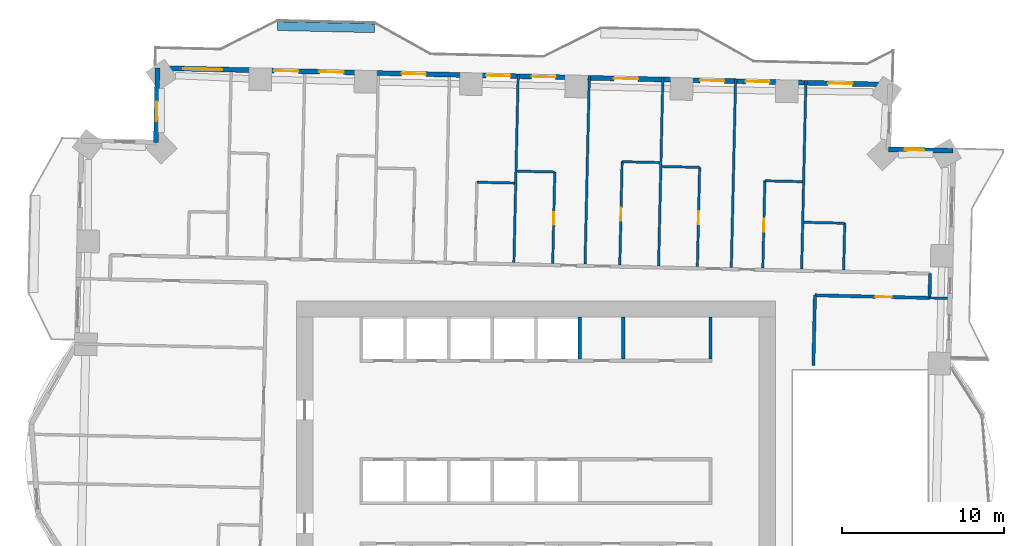
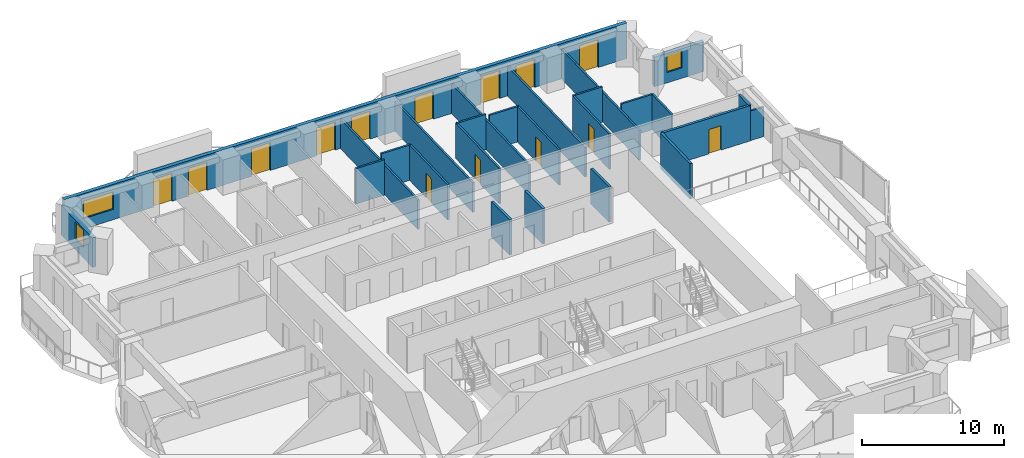
# One storey, part 11 of 16: 27 walls, 14 doors, 3 windows, 17 openings.
"""IFC4 building model written with IfcOpenShell, lengths in metres."""

from ifc_helpers import new_model, si_unit, direction, frame, frame_2d, origin, place, context, subcontext, project, spatial, rectangle, extrude, material, layer, layer_set, type_object, element, fill, save


model = new_model("IFC4")

# Units and contexts
model_context = context("Model", 3, precision=1e-05, world=origin(), true_north=direction((0.0, 1.0)))
body_context = subcontext(model_context, "Body", "Model", "MODEL_VIEW")
ifc_project = project(units=[si_unit("LENGTHUNIT", "METRE"), si_unit("AREAUNIT", "SQUARE_METRE"), si_unit("VOLUMEUNIT", "CUBIC_METRE"), si_unit("PLANEANGLEUNIT", "RADIAN"), si_unit("MASSUNIT", "GRAM", prefix="KILO")], contexts=[model_context])

# Site, building, storey
site_placement = place(None, origin())
site = spatial("IfcSite", under=ifc_project, at=site_placement, CompositionType="ELEMENT")
building_placement = place(site_placement, origin())
building = spatial("IfcBuilding", under=site, at=building_placement, Name="Mangrove Gate Tower", CompositionType="ELEMENT")
storey_placement = place(building_placement, frame((0.0, 0.0, 105.5)))
storey = spatial("IfcBuildingStorey", under=building, at=storey_placement, Name="L26", CompositionType="ELEMENT", Elevation=105.5)

# Walls
ifc_material_1 = material(Name="Concrete C32/40", Category="concrete")
ifc_layer_1 = layer(ifc_material_1, 0.199951171875)
ifc_layer_set_1 = layer_set([ifc_layer_1], Name="Core room wall 200 C32/40")
wall_type_1 = type_object("IfcWallType", Name="Core room wall 200 C32/40", PredefinedType="STANDARD", material=ifc_layer_set_1)
for number, where, z_axis, x_axis, name in (
    (1, (5.39990234375, 8.199951171875, 0.0), (0.0, 0.0, 1.0), (0.0, 1.0, 0.0), "WALL-L26-CORE-32"),
    (2, (10.800048828125, 8.199951171875, 0.0), (0.0, 0.0, 1.0), (0.0, 1.0, 0.0), "WALL-L26-CORE-33"),
):
    element("IfcWall", number, at=place(storey_placement, frame(where, z_axis=z_axis, x_axis=x_axis)), inside=storey, type_object=wall_type_1, Name=name, PredefinedType="STANDARD", context=body_context, shape_type="SweptSolid", body=[
        extrude(rectangle(XDim=2.60009765625, YDim=0.199951171875, at=frame_2d((1.300048828125, 0.0))), origin(), (0.0, 0.0, 1.0), 3.050048828125),
    ])
ifc_material_2 = material(Name="Concrete C70/85", Category="concrete")
ifc_layer_2 = layer(ifc_material_2, 0.199951171875)
ifc_layer_set_2 = layer_set([ifc_layer_2], Name="Core shaft wall 200 C70/85")
wall_type_2 = type_object("IfcWallType", Name="Core shaft wall 200 C70/85", PredefinedType="SHEAR", material=ifc_layer_set_2)
wall_1_placement = place(storey_placement, frame((2.699951171875, 8.199951171875, 0.0), z_axis=(0.0, 0.0, 1.0), x_axis=(0.0, 1.0, 0.0)))
element("IfcWall", 3, at=wall_1_placement, inside=storey, type_object=wall_type_2, Name="WALL-L26-CORE-31", PredefinedType="SHEAR", context=body_context, shape_type="SweptSolid", body=[
    extrude(rectangle(XDim=2.60009765625, YDim=0.199951171875, at=frame_2d((1.300048828125, 0.0))), origin(), (0.0, 0.0, 1.0), 3.050048828125),
])
ifc_material_3 = material(Name="Gypsum board on steel stud, EI 60", Category="steel")
ifc_layer_3 = layer(ifc_material_3, 0.199951171875)
ifc_layer_set_3 = layer_set([ifc_layer_3], Name="Corridor wall EI 60")
wall_type_3 = type_object("IfcWallType", Name="Corridor wall EI 60", PredefinedType="PARTITIONING", material=ifc_layer_set_3)
wall_2_placement = place(storey_placement, frame((17.155029296875, 7.81396484375, 0.0), z_axis=(0.0, 0.0, 1.0), x_axis=(0.022578158225, 0.999745080894, 0.0)))
element("IfcWall", 4, at=wall_2_placement, inside=storey, type_object=wall_type_3, Name="WALL-L26-037", PredefinedType="PARTITIONING", context=body_context, shape_type="SweptSolid", body=[
    extrude(rectangle(XDim=4.336181640625, YDim=0.199951171875, at=frame_2d((2.16796875, 0.0))), origin(), (0.0, 0.0, 1.0), 3.050048828125),
])

# Wall, opening, door
wall_3_placement = place(storey_placement, frame((17.248046875, 12.14501953125, 0.0), z_axis=(0.0, 0.0, 1.0), x_axis=(0.999742350192, -0.022698749566, 0.0)))
wall_3 = element("IfcWall", 5, at=wall_3_placement, inside=storey, type_object=wall_type_3, Name="WALL-L26-041", PredefinedType="PARTITIONING", context=body_context, shape_type="SweptSolid", body=[
    extrude(rectangle(XDim=7.0986328125, YDim=0.199951171875, at=frame_2d((3.54931640625, 0.0))), origin(), (0.0, 0.0, 1.0), 3.050048828125),
])
opening_1_placement = place(wall_3_placement, frame((3.75, 0.0, 0.0)))
opening_1 = element("IfcOpeningElement", 6, at=opening_1_placement, cuts=wall_3, Name="Opening AD", PredefinedType="OPENING", context=body_context, shape_type="SweptSolid", body=[
    extrude(rectangle(XDim=1.0, YDim=2.10009765625, at=frame_2d((0.5, 1.050048828125))), frame((0.0, 0.10986328125, 0.0), z_axis=(0.0, -1.0, 0.0), x_axis=(1.0, 0.0, 0.0)), (0.0, 0.0, 1.0), 0.219970703125),
])
ifc_material_4 = material(Name="Timber door leaf", Category="wood")
door_type_1 = type_object("IfcDoorType", Name="Amenity door 1000", OperationType="SINGLE_SWING_LEFT", PredefinedType="DOOR", material=ifc_material_4)
door_1_placement = place(opening_1_placement, origin())
door_1 = element("IfcDoor", 7, at=door_1_placement, inside=storey, type_object=door_type_1, Name="DOOR-L26-GAM-c3a", OperationType="SINGLE_SWING_RIGHT", OverallHeight=2.10009765625, OverallWidth=1.0, PredefinedType="DOOR", context=body_context, shape_type="SweptSolid", body=[
    extrude(rectangle(XDim=1.0, YDim=2.10009765625, at=frame_2d((0.5, 1.050048828125))), frame((0.0, 0.02490234375, 0.0), z_axis=(0.0, -1.0, 0.0), x_axis=(1.0, 0.0, 0.0)), (0.0, 0.0, 1.0), 0.050048828125),
])
fill(opening_1, door_1)

# Wall
wall_4_placement = place(storey_placement, frame((24.341064453125, 11.988037109375, 0.0), z_axis=(0.0, 0.0, 1.0), x_axis=(0.022617910375, 0.999744182344, 0.0)))
element("IfcWall", 8, at=wall_4_placement, inside=storey, type_object=wall_type_3, Name="WALL-L26-044", PredefinedType="PARTITIONING", context=body_context, shape_type="SweptSolid", body=[
    extrude(rectangle(XDim=1.50048828125, YDim=0.199951171875, at=frame_2d((0.750244140625, 0.0))), origin(), (0.0, 0.0, 1.0), 3.050048828125),
])

# Wall, opening, window
ifc_material_5 = material(Name="Limestone", Category="masonry")
ifc_layer_4 = layer(ifc_material_5, 0.0400390625, Name="Limestone cladding")
ifc_material_6 = material(Name="Ventilated air gap")
ifc_layer_5 = layer(ifc_material_6, 0.0400390625, Name="Ventilated cavity")
ifc_material_7 = material(Name="Mineral wool insulation")
ifc_layer_6 = layer(ifc_material_7, 0.06005859375, Name="Insulation")
ifc_material_8 = material(Name="Breather membrane")
ifc_layer_7 = layer(ifc_material_8, 0.001953125, Name="Breather membrane")
ifc_material_9 = material(Name="Concrete C20/25 blockwork", Category="masonry")
ifc_layer_8 = layer(ifc_material_9, 0.14990234375, Name="Blockwork backing wall")
ifc_material_10 = material(Name="Gypsum plaster")
ifc_layer_9 = layer(ifc_material_10, 0.008056640625, Name="Internal plaster")
ifc_layer_set_4 = layer_set([ifc_layer_4, ifc_layer_5, ifc_layer_6, ifc_layer_7, ifc_layer_8, ifc_layer_9], Name="External wall 300 limestone cladding")
wall_type_4 = type_object("IfcWallType", Name="External wall 300 limestone cladding", PredefinedType="SOLIDWALL", material=ifc_layer_set_4)
wall_5_placement = place(storey_placement, frame((25.802001953125, 21.0830078125, 0.0), z_axis=(0.0, 0.0, 1.0), x_axis=(-0.999740826251, 0.022765770952, 0.0)))
wall_5 = element("IfcWall", 9, at=wall_5_placement, inside=storey, type_object=wall_type_4, Name="WALL-L26-N3", PredefinedType="SOLIDWALL", context=body_context, shape_type="SweptSolid", body=[
    extrude(rectangle(XDim=4.0, YDim=0.300048828125, at=frame_2d((2.0, 0.0))), origin(), (0.0, 0.0, 1.0), 2.550048828125),
])
opening_2_placement = place(wall_5_placement, frame((1.782958984375, 0.0, 0.89990234375)))
opening_2 = element("IfcOpeningElement", 10, at=opening_2_placement, cuts=wall_5, Name="Opening W1", PredefinedType="OPENING", context=body_context, shape_type="SweptSolid", body=[
    extrude(rectangle(XDim=1.199951171875, YDim=1.5, at=frame_2d((0.60009765625, 0.75))), frame((0.0, 0.159912109375, 0.0), z_axis=(0.0, -1.0, 0.0), x_axis=(1.0, 0.0, 0.0)), (0.0, 0.0, 1.0), 0.320068359375),
])
ifc_material_11 = material(Name="Aluminium frame with double-glazed low-e glass", Category="aluminium")
window_type_1 = type_object("IfcWindowType", Name="Side lite 1200x1500", PartitioningType="SINGLE_PANEL", PredefinedType="WINDOW", material=ifc_material_11)
window_1_placement = place(opening_2_placement, origin())
window_1 = element("IfcWindow", 11, at=window_1_placement, inside=storey, type_object=window_type_1, Name="WIN-L26-N3-1", OverallHeight=1.5, OverallWidth=1.199951171875, PartitioningType="SINGLE_PANEL", PredefinedType="WINDOW", context=body_context, shape_type="SweptSolid", body=[
    extrude(rectangle(XDim=1.199951171875, YDim=1.5, at=frame_2d((0.60009765625, 0.75))), frame((0.0, 0.030029296875, 0.0), z_axis=(0.0, -1.0, 0.0), x_axis=(1.0, 0.0, 0.0)), (0.0, 0.0, 1.0), 0.06005859375),
])
fill(opening_2, window_1)

# Wall, openings, doors, window
wall_6_placement = place(storey_placement, frame((21.89404296875, 25.173095703125, 0.0), z_axis=(0.0, 0.0, 1.0), x_axis=(-0.999742661083, 0.022685052594, 0.0)))
wall_6 = element("IfcWall", 12, at=wall_6_placement, inside=storey, type_object=wall_type_4, Name="WALL-L26-N5", PredefinedType="SOLIDWALL", context=body_context, shape_type="SweptSolid", body=[
    extrude(rectangle(XDim=45.308837890625, YDim=0.300048828125, at=frame_2d((22.654296875, 0.0))), origin(), (0.0, 0.0, 1.0), 3.050048828125),
])
opening_3_placement = place(wall_6_placement, frame((2.319091796875, 0.0, 0.0)))
opening_3 = element("IfcOpeningElement", 13, at=opening_3_placement, cuts=wall_6, Name="Opening BD1", PredefinedType="OPENING", context=body_context, shape_type="SweptSolid", body=[
    extrude(rectangle(XDim=1.5, YDim=2.39990234375, at=frame_2d((0.75, 1.199951171875))), frame((0.0, 0.159912109375, 0.0), z_axis=(0.0, -1.0, 0.0), x_axis=(1.0, 0.0, 0.0)), (0.0, 0.0, 1.0), 0.320068359375),
])
opening_4_placement = place(wall_6_placement, frame((7.43701171875, 0.0, 0.0)))
opening_4 = element("IfcOpeningElement", 14, at=opening_4_placement, cuts=wall_6, Name="Opening BD1", PredefinedType="OPENING", context=body_context, shape_type="SweptSolid", body=[
    extrude(rectangle(XDim=1.5, YDim=2.39990234375, at=frame_2d((0.75, 1.199951171875))), frame((0.0, 0.159912109375, 0.0), z_axis=(0.0, -1.0, 0.0), x_axis=(1.0, 0.0, 0.0)), (0.0, 0.0, 1.0), 0.320068359375),
])
opening_5_placement = place(wall_6_placement, frame((10.243896484375, 0.0, 0.0)))
opening_5 = element("IfcOpeningElement", 15, at=opening_5_placement, cuts=wall_6, Name="Opening BD1", PredefinedType="OPENING", context=body_context, shape_type="SweptSolid", body=[
    extrude(rectangle(XDim=1.5, YDim=2.39990234375, at=frame_2d((0.75, 1.199951171875))), frame((0.0, 0.159912109375, 0.0), z_axis=(0.0, -1.0, 0.0), x_axis=(1.0, 0.0, 0.0)), (0.0, 0.0, 1.0), 0.320068359375),
])
opening_6_placement = place(wall_6_placement, frame((15.5830078125, 0.0, 0.0)))
opening_6 = element("IfcOpeningElement", 16, at=opening_6_placement, cuts=wall_6, Name="Opening BD1", PredefinedType="OPENING", context=body_context, shape_type="SweptSolid", body=[
    extrude(rectangle(XDim=1.5, YDim=2.39990234375, at=frame_2d((0.75, 1.199951171875))), frame((0.0, 0.159912109375, 0.0), z_axis=(0.0, -1.0, 0.0), x_axis=(1.0, 0.0, 0.0)), (0.0, 0.0, 1.0), 0.320068359375),
])
opening_7_placement = place(wall_6_placement, frame((20.677001953125, 0.0, 0.0)))
opening_7 = element("IfcOpeningElement", 17, at=opening_7_placement, cuts=wall_6, Name="Opening BD1", PredefinedType="OPENING", context=body_context, shape_type="SweptSolid", body=[
    extrude(rectangle(XDim=1.5, YDim=2.39990234375, at=frame_2d((0.75, 1.199951171875))), frame((0.0, 0.159912109375, 0.0), z_axis=(0.0, -1.0, 0.0), x_axis=(1.0, 0.0, 0.0)), (0.0, 0.0, 1.0), 0.320068359375),
])
opening_8_placement = place(wall_6_placement, frame((23.485107421875, 0.0, 0.0)))
opening_8 = element("IfcOpeningElement", 18, at=opening_8_placement, cuts=wall_6, Name="Opening BD1", PredefinedType="OPENING", context=body_context, shape_type="SweptSolid", body=[
    extrude(rectangle(XDim=1.5, YDim=2.39990234375, at=frame_2d((0.75, 1.199951171875))), frame((0.0, 0.159912109375, 0.0), z_axis=(0.0, -1.0, 0.0), x_axis=(1.0, 0.0, 0.0)), (0.0, 0.0, 1.0), 0.320068359375),
])
opening_9_placement = place(wall_6_placement, frame((28.7080078125, 0.0, 0.0)))
opening_9 = element("IfcOpeningElement", 19, at=opening_9_placement, cuts=wall_6, Name="Opening BD1", PredefinedType="OPENING", context=body_context, shape_type="SweptSolid", body=[
    extrude(rectangle(XDim=1.5, YDim=2.39990234375, at=frame_2d((0.75, 1.199951171875))), frame((0.0, 0.159912109375, 0.0), z_axis=(0.0, -1.0, 0.0), x_axis=(1.0, 0.0, 0.0)), (0.0, 0.0, 1.0), 0.320068359375),
])
opening_10_placement = place(wall_6_placement, frame((33.79296875, 0.0, 0.0)))
opening_10 = element("IfcOpeningElement", 20, at=opening_10_placement, cuts=wall_6, Name="Opening BD1", PredefinedType="OPENING", context=body_context, shape_type="SweptSolid", body=[
    extrude(rectangle(XDim=1.5, YDim=2.39990234375, at=frame_2d((0.75, 1.199951171875))), frame((0.0, 0.159912109375, 0.0), z_axis=(0.0, -1.0, 0.0), x_axis=(1.0, 0.0, 0.0)), (0.0, 0.0, 1.0), 0.320068359375),
])
opening_11_placement = place(wall_6_placement, frame((36.60009765625, 0.0, 0.0)))
opening_11 = element("IfcOpeningElement", 21, at=opening_11_placement, cuts=wall_6, Name="Opening BD1", PredefinedType="OPENING", context=body_context, shape_type="SweptSolid", body=[
    extrude(rectangle(XDim=1.5, YDim=2.39990234375, at=frame_2d((0.75, 1.199951171875))), frame((0.0, 0.159912109375, 0.0), z_axis=(0.0, -1.0, 0.0), x_axis=(1.0, 0.0, 0.0)), (0.0, 0.0, 1.0), 0.320068359375),
])
opening_12_placement = place(wall_6_placement, frame((41.318115234375, 0.0, 0.89990234375)))
opening_12 = element("IfcOpeningElement", 22, at=opening_12_placement, cuts=wall_6, Name="Opening W2", PredefinedType="OPENING", context=body_context, shape_type="SweptSolid", body=[
    extrude(rectangle(XDim=2.39990234375, YDim=1.5, at=frame_2d((1.199951171875, 0.75))), frame((0.0, 0.159912109375, 0.0), z_axis=(0.0, -1.0, 0.0), x_axis=(1.0, 0.0, 0.0)), (0.0, 0.0, 1.0), 0.320068359375),
])
ifc_material_12 = material(Name="Aluminium frame with laminated clear glass", Category="aluminium")
door_type_2 = type_object("IfcDoorType", Name="Balcony sliding door 1500x2400", OperationType="SLIDING_TO_LEFT", PredefinedType="DOOR", material=ifc_material_12)
door_2_placement = place(opening_3_placement, origin())
door_2 = element("IfcDoor", 23, at=door_2_placement, inside=storey, type_object=door_type_2, Name="DOOR-L26-N5-1", OperationType="SLIDING_TO_LEFT", OverallHeight=2.39990234375, OverallWidth=1.5, PredefinedType="DOOR", context=body_context, shape_type="SweptSolid", body=[
    extrude(rectangle(XDim=1.5, YDim=2.39990234375, at=frame_2d((0.75, 1.199951171875))), frame((0.0, 0.02490234375, 0.0), z_axis=(0.0, -1.0, 0.0), x_axis=(1.0, 0.0, 0.0)), (0.0, 0.0, 1.0), 0.050048828125),
])
fill(opening_3, door_2)
door_3_placement = place(opening_4_placement, origin())
door_3 = element("IfcDoor", 24, at=door_3_placement, inside=storey, type_object=door_type_2, Name="DOOR-L26-N5-2", OperationType="SLIDING_TO_LEFT", OverallHeight=2.39990234375, OverallWidth=1.5, PredefinedType="DOOR", context=body_context, shape_type="SweptSolid", body=[
    extrude(rectangle(XDim=1.5, YDim=2.39990234375, at=frame_2d((0.75, 1.199951171875))), frame((0.0, 0.02490234375, 0.0), z_axis=(0.0, -1.0, 0.0), x_axis=(1.0, 0.0, 0.0)), (0.0, 0.0, 1.0), 0.050048828125),
])
fill(opening_4, door_3)
door_4_placement = place(opening_5_placement, origin())
door_4 = element("IfcDoor", 25, at=door_4_placement, inside=storey, type_object=door_type_2, Name="DOOR-L26-N5-3", OperationType="SLIDING_TO_LEFT", OverallHeight=2.39990234375, OverallWidth=1.5, PredefinedType="DOOR", context=body_context, shape_type="SweptSolid", body=[
    extrude(rectangle(XDim=1.5, YDim=2.39990234375, at=frame_2d((0.75, 1.199951171875))), frame((0.0, 0.02490234375, 0.0), z_axis=(0.0, -1.0, 0.0), x_axis=(1.0, 0.0, 0.0)), (0.0, 0.0, 1.0), 0.050048828125),
])
fill(opening_5, door_4)
door_5_placement = place(opening_6_placement, origin())
door_5 = element("IfcDoor", 26, at=door_5_placement, inside=storey, type_object=door_type_2, Name="DOOR-L26-N5-4", OperationType="SLIDING_TO_LEFT", OverallHeight=2.39990234375, OverallWidth=1.5, PredefinedType="DOOR", context=body_context, shape_type="SweptSolid", body=[
    extrude(rectangle(XDim=1.5, YDim=2.39990234375, at=frame_2d((0.75, 1.199951171875))), frame((0.0, 0.02490234375, 0.0), z_axis=(0.0, -1.0, 0.0), x_axis=(1.0, 0.0, 0.0)), (0.0, 0.0, 1.0), 0.050048828125),
])
fill(opening_6, door_5)
door_6_placement = place(opening_7_placement, origin())
door_6 = element("IfcDoor", 27, at=door_6_placement, inside=storey, type_object=door_type_2, Name="DOOR-L26-N5-5", OperationType="SLIDING_TO_LEFT", OverallHeight=2.39990234375, OverallWidth=1.5, PredefinedType="DOOR", context=body_context, shape_type="SweptSolid", body=[
    extrude(rectangle(XDim=1.5, YDim=2.39990234375, at=frame_2d((0.75, 1.199951171875))), frame((0.0, 0.02490234375, 0.0), z_axis=(0.0, -1.0, 0.0), x_axis=(1.0, 0.0, 0.0)), (0.0, 0.0, 1.0), 0.050048828125),
])
fill(opening_7, door_6)
door_7_placement = place(opening_8_placement, origin())
door_7 = element("IfcDoor", 28, at=door_7_placement, inside=storey, type_object=door_type_2, Name="DOOR-L26-N5-6", OperationType="SLIDING_TO_LEFT", OverallHeight=2.39990234375, OverallWidth=1.5, PredefinedType="DOOR", context=body_context, shape_type="SweptSolid", body=[
    extrude(rectangle(XDim=1.5, YDim=2.39990234375, at=frame_2d((0.75, 1.199951171875))), frame((0.0, 0.02490234375, 0.0), z_axis=(0.0, -1.0, 0.0), x_axis=(1.0, 0.0, 0.0)), (0.0, 0.0, 1.0), 0.050048828125),
])
fill(opening_8, door_7)
door_8_placement = place(opening_9_placement, origin())
door_8 = element("IfcDoor", 29, at=door_8_placement, inside=storey, type_object=door_type_2, Name="DOOR-L26-N5-7", OperationType="SLIDING_TO_LEFT", OverallHeight=2.39990234375, OverallWidth=1.5, PredefinedType="DOOR", context=body_context, shape_type="SweptSolid", body=[
    extrude(rectangle(XDim=1.5, YDim=2.39990234375, at=frame_2d((0.75, 1.199951171875))), frame((0.0, 0.02490234375, 0.0), z_axis=(0.0, -1.0, 0.0), x_axis=(1.0, 0.0, 0.0)), (0.0, 0.0, 1.0), 0.050048828125),
])
fill(opening_9, door_8)
door_9_placement = place(opening_10_placement, origin())
door_9 = element("IfcDoor", 30, at=door_9_placement, inside=storey, type_object=door_type_2, Name="DOOR-L26-N5-8", OperationType="SLIDING_TO_LEFT", OverallHeight=2.39990234375, OverallWidth=1.5, PredefinedType="DOOR", context=body_context, shape_type="SweptSolid", body=[
    extrude(rectangle(XDim=1.5, YDim=2.39990234375, at=frame_2d((0.75, 1.199951171875))), frame((0.0, 0.02490234375, 0.0), z_axis=(0.0, -1.0, 0.0), x_axis=(1.0, 0.0, 0.0)), (0.0, 0.0, 1.0), 0.050048828125),
])
fill(opening_10, door_9)
door_10_placement = place(opening_11_placement, origin())
door_10 = element("IfcDoor", 31, at=door_10_placement, inside=storey, type_object=door_type_2, Name="DOOR-L26-N5-9", OperationType="SLIDING_TO_LEFT", OverallHeight=2.39990234375, OverallWidth=1.5, PredefinedType="DOOR", context=body_context, shape_type="SweptSolid", body=[
    extrude(rectangle(XDim=1.5, YDim=2.39990234375, at=frame_2d((0.75, 1.199951171875))), frame((0.0, 0.02490234375, 0.0), z_axis=(0.0, -1.0, 0.0), x_axis=(1.0, 0.0, 0.0)), (0.0, 0.0, 1.0), 0.050048828125),
])
fill(opening_11, door_10)
ifc_material_13 = material(Name="Aluminium frame with double-glazed low-e glass", Category="aluminium")
window_type_2 = type_object("IfcWindowType", Name="Corner room window 2400x1500", PartitioningType="DOUBLE_PANEL_VERTICAL", PredefinedType="WINDOW", material=ifc_material_13)
window_2_placement = place(opening_12_placement, origin())
window_2 = element("IfcWindow", 32, at=window_2_placement, inside=storey, type_object=window_type_2, Name="WIN-L26-N5-10", OverallHeight=1.5, OverallWidth=2.39990234375, PartitioningType="DOUBLE_PANEL_VERTICAL", PredefinedType="WINDOW", context=body_context, shape_type="SweptSolid", body=[
    extrude(rectangle(XDim=2.39990234375, YDim=1.5, at=frame_2d((1.199951171875, 0.75))), frame((0.0, 0.030029296875, 0.0), z_axis=(0.0, -1.0, 0.0), x_axis=(1.0, 0.0, 0.0)), (0.0, 0.0, 1.0), 0.06005859375),
])
fill(opening_12, window_2)

# Wall, opening, window
wall_7_placement = place(storey_placement, frame((-23.403076171875, 26.200927734375, 0.0), z_axis=(0.0, 0.0, 1.0), x_axis=(-0.022609285172, -0.999744377441, 0.0)))
wall_7 = element("IfcWall", 33, at=wall_7_placement, inside=storey, type_object=wall_type_4, Name="WALL-L26-W6", PredefinedType="SOLIDWALL", context=body_context, shape_type="SweptSolid", body=[
    extrude(rectangle(XDim=4.60009765625, YDim=0.300048828125, at=frame_2d((2.300048828125, 0.0))), origin(), (0.0, 0.0, 1.0), 2.550048828125),
])
opening_13_placement = place(wall_7_placement, frame((2.075927734375, 0.0, 0.89990234375)))
opening_13 = element("IfcOpeningElement", 34, at=opening_13_placement, cuts=wall_7, Name="Opening W1", PredefinedType="OPENING", context=body_context, shape_type="SweptSolid", body=[
    extrude(rectangle(XDim=1.199951171875, YDim=1.5, at=frame_2d((0.60009765625, 0.75))), frame((0.0, 0.159912109375, 0.0), z_axis=(0.0, -1.0, 0.0), x_axis=(1.0, 0.0, 0.0)), (0.0, 0.0, 1.0), 0.320068359375),
])
window_3_placement = place(opening_13_placement, origin())
window_3 = element("IfcWindow", 35, at=window_3_placement, inside=storey, type_object=window_type_1, Name="WIN-L26-W6-1", OverallHeight=1.5, OverallWidth=1.199951171875, PartitioningType="SINGLE_PANEL", PredefinedType="WINDOW", context=body_context, shape_type="SweptSolid", body=[
    extrude(rectangle(XDim=1.199951171875, YDim=1.5, at=frame_2d((0.60009765625, 0.75))), frame((0.0, 0.030029296875, 0.0), z_axis=(0.0, -1.0, 0.0), x_axis=(1.0, 0.0, 0.0)), (0.0, 0.0, 1.0), 0.06005859375),
])
fill(opening_13, window_3)

# Walls
ifc_material_14 = material(Name="Gypsum board on steel stud, EI 60", Category="steel")
ifc_layer_10 = layer(ifc_material_14, 0.14990234375)
ifc_layer_set_5 = layer_set([ifc_layer_10], Name="Party wall 150 EI 60")
wall_type_5 = type_object("IfcWallType", Name="Party wall 150 EI 60", PredefinedType="PARTITIONING", material=ifc_layer_set_5)
wall_8_placement = place(storey_placement, frame((24.344970703125, 11.98388671875, 0.0), z_axis=(0.0, 0.0, 1.0), x_axis=(0.9997438932, -0.022630687329, 0.0)))
element("IfcWall", 36, at=wall_8_placement, inside=storey, type_object=wall_type_5, Name="WALL-L26-042", PredefinedType="PARTITIONING", context=body_context, shape_type="SweptSolid", body=[
    extrude(rectangle(XDim=1.100341796875, YDim=0.14990234375, at=frame_2d((0.55029296875, 0.0))), origin(), (0.0, 0.0, 1.0), 2.550048828125),
])
wall_9_placement = place(storey_placement, frame((-1.365966796875, 14.172119140625, 0.0), z_axis=(0.0, 0.0, 1.0), x_axis=(0.022687206857, 0.999742612198, 0.0)))
element("IfcWall", 37, at=wall_9_placement, inside=storey, type_object=wall_type_5, Name="WALL-L26-055", PredefinedType="PARTITIONING", context=body_context, shape_type="SweptSolid", body=[
    extrude(rectangle(XDim=11.67578125, YDim=0.14990234375, at=frame_2d((5.837890625, 0.0))), origin(), (0.0, 0.0, 1.0), 2.550048828125),
])

# Wall, opening, door
wall_10_placement = place(storey_placement, frame((1.033935546875, 14.116943359375, 0.0), z_axis=(0.0, 0.0, 1.0), x_axis=(0.022644004729, 0.999743591652, 0.0)))
wall_10 = element("IfcWall", 38, at=wall_10_placement, inside=storey, type_object=wall_type_5, Name="WALL-L26-056", PredefinedType="PARTITIONING", context=body_context, shape_type="SweptSolid", body=[
    extrude(rectangle(XDim=5.660400390625, YDim=0.14990234375, at=frame_2d((2.830078125, 0.0))), origin(), (0.0, 0.0, 1.0), 3.050048828125),
])
opening_14_placement = place(wall_10_placement, frame((2.3798828125, 0.0, 0.0)))
opening_14 = element("IfcOpeningElement", 39, at=opening_14_placement, cuts=wall_10, Name="Opening ED", PredefinedType="OPENING", context=body_context, shape_type="SweptSolid", body=[
    extrude(rectangle(XDim=0.800048828125, YDim=2.10009765625, at=frame_2d((0.39990234375, 1.050048828125))), frame((0.0, 0.0849609375, 0.0), z_axis=(0.0, -1.0, 0.0), x_axis=(1.0, 0.0, 0.0)), (0.0, 0.0, 1.0), 0.169921875),
])
ifc_material_15 = material(Name="Timber door leaf", Category="wood")
door_type_3 = type_object("IfcDoorType", Name="En-suite door 800", OperationType="SINGLE_SWING_LEFT", PredefinedType="DOOR", material=ifc_material_15)
door_11_placement = place(opening_14_placement, origin())
door_11 = element("IfcDoor", 40, at=door_11_placement, inside=storey, type_object=door_type_3, Name="DOOR-L26-ENS-c411", OperationType="SINGLE_SWING_LEFT", OverallHeight=2.10009765625, OverallWidth=0.800048828125, PredefinedType="DOOR", context=body_context, shape_type="SweptSolid", body=[
    extrude(rectangle(XDim=0.800048828125, YDim=2.10009765625, at=frame_2d((0.39990234375, 1.050048828125))), frame((0.0, 0.02490234375, 0.0), z_axis=(0.0, -1.0, 0.0), x_axis=(1.0, 0.0, 0.0)), (0.0, 0.0, 1.0), 0.050048828125),
])
fill(opening_14, door_11)

# Wall
wall_11_placement = place(storey_placement, frame((3.032958984375, 14.072021484375, 0.0), z_axis=(0.0, 0.0, 1.0), x_axis=(0.022707631257, 0.999742148498, 0.0)))
element("IfcWall", 41, at=wall_11_placement, inside=storey, type_object=wall_type_5, Name="WALL-L26-057", PredefinedType="PARTITIONING", context=body_context, shape_type="SweptSolid", body=[
    extrude(rectangle(XDim=11.676025390625, YDim=0.14990234375, at=frame_2d((5.837890625, 0.0))), origin(), (0.0, 0.0, 1.0), 2.550048828125),
])

# Wall, opening, door
wall_12_placement = place(storey_placement, frame((5.181884765625, 14.02294921875, 0.0), z_axis=(0.0, 0.0, 1.0), x_axis=(0.022691900969, 0.999742505664, 0.0)))
wall_12 = element("IfcWall", 42, at=wall_12_placement, inside=storey, type_object=wall_type_5, Name="WALL-L26-058", PredefinedType="PARTITIONING", context=body_context, shape_type="SweptSolid", body=[
    extrude(rectangle(XDim=6.390869140625, YDim=0.14990234375, at=frame_2d((3.1953125, 0.0))), origin(), (0.0, 0.0, 1.0), 3.050048828125),
])
opening_15_placement = place(wall_12_placement, frame((2.7451171875, 0.0, 0.0)))
opening_15 = element("IfcOpeningElement", 43, at=opening_15_placement, cuts=wall_12, Name="Opening ED", PredefinedType="OPENING", context=body_context, shape_type="SweptSolid", body=[
    extrude(rectangle(XDim=0.800048828125, YDim=2.10009765625, at=frame_2d((0.39990234375, 1.050048828125))), frame((0.0, 0.0849609375, 0.0), z_axis=(0.0, -1.0, 0.0), x_axis=(1.0, 0.0, 0.0)), (0.0, 0.0, 1.0), 0.169921875),
])
door_12_placement = place(opening_15_placement, origin())
door_12 = element("IfcDoor", 44, at=door_12_placement, inside=storey, type_object=door_type_3, Name="DOOR-L26-ENS-c410", OperationType="SINGLE_SWING_RIGHT", OverallHeight=2.10009765625, OverallWidth=0.800048828125, PredefinedType="DOOR", context=body_context, shape_type="SweptSolid", body=[
    extrude(rectangle(XDim=0.800048828125, YDim=2.10009765625, at=frame_2d((0.39990234375, 1.050048828125))), frame((0.0, 0.02490234375, 0.0), z_axis=(0.0, -1.0, 0.0), x_axis=(1.0, 0.0, 0.0)), (0.0, 0.0, 1.0), 0.050048828125),
])
fill(opening_15, door_12)

# Wall
wall_13_placement = place(storey_placement, frame((7.58203125, 13.968994140625, 0.0), z_axis=(0.0, 0.0, 1.0), x_axis=(0.022686732602, 0.99974262296, 0.0)))
element("IfcWall", 45, at=wall_13_placement, inside=storey, type_object=wall_type_5, Name="WALL-L26-059", PredefinedType="PARTITIONING", context=body_context, shape_type="SweptSolid", body=[
    extrude(rectangle(XDim=11.676025390625, YDim=0.14990234375, at=frame_2d((5.837890625, 0.0))), origin(), (0.0, 0.0, 1.0), 2.550048828125),
])

# Wall, opening, door
wall_14_placement = place(storey_placement, frame((9.98095703125, 13.9140625, 0.0), z_axis=(0.0, 0.0, 1.0), x_axis=(0.022784522714, 0.999740399066, 0.0)))
wall_14 = element("IfcWall", 46, at=wall_14_placement, inside=storey, type_object=wall_type_5, Name="WALL-L26-060", PredefinedType="PARTITIONING", context=body_context, shape_type="SweptSolid", body=[
    extrude(rectangle(XDim=6.150634765625, YDim=0.14990234375, at=frame_2d((3.0751953125, 0.0))), origin(), (0.0, 0.0, 1.0), 3.050048828125),
])
opening_16_placement = place(wall_14_placement, frame((2.625, 0.0, 0.0)))
opening_16 = element("IfcOpeningElement", 47, at=opening_16_placement, cuts=wall_14, Name="Opening ED", PredefinedType="OPENING", context=body_context, shape_type="SweptSolid", body=[
    extrude(rectangle(XDim=0.800048828125, YDim=2.10009765625, at=frame_2d((0.39990234375, 1.050048828125))), frame((0.0, 0.0849609375, 0.0), z_axis=(0.0, -1.0, 0.0), x_axis=(1.0, 0.0, 0.0)), (0.0, 0.0, 1.0), 0.169921875),
])
door_13_placement = place(opening_16_placement, origin())
door_13 = element("IfcDoor", 48, at=door_13_placement, inside=storey, type_object=door_type_3, Name="DOOR-L26-ENS-c309", OperationType="SINGLE_SWING_LEFT", OverallHeight=2.10009765625, OverallWidth=0.800048828125, PredefinedType="DOOR", context=body_context, shape_type="SweptSolid", body=[
    extrude(rectangle(XDim=0.800048828125, YDim=2.10009765625, at=frame_2d((0.39990234375, 1.050048828125))), frame((0.0, 0.02490234375, 0.0), z_axis=(0.0, -1.0, 0.0), x_axis=(1.0, 0.0, 0.0)), (0.0, 0.0, 1.0), 0.050048828125),
])
fill(opening_16, door_13)

# Wall
wall_15_placement = place(storey_placement, frame((12.0810546875, 13.866943359375, 0.0), z_axis=(0.0, 0.0, 1.0), x_axis=(0.022686732602, 0.99974262296, 0.0)))
element("IfcWall", 49, at=wall_15_placement, inside=storey, type_object=wall_type_5, Name="WALL-L26-061", PredefinedType="PARTITIONING", context=body_context, shape_type="SweptSolid", body=[
    extrude(rectangle(XDim=11.676025390625, YDim=0.14990234375, at=frame_2d((5.837890625, 0.0))), origin(), (0.0, 0.0, 1.0), 2.550048828125),
])

# Wall, opening, door
wall_16_placement = place(storey_placement, frame((14.030029296875, 13.822998046875, 0.0), z_axis=(0.0, 0.0, 1.0), x_axis=(0.022747035861, 0.999741252705, 0.0)))
wall_16 = element("IfcWall", 50, at=wall_16_placement, inside=storey, type_object=wall_type_5, Name="WALL-L26-062", PredefinedType="PARTITIONING", context=body_context, shape_type="SweptSolid", body=[
    extrude(rectangle(XDim=5.409423828125, YDim=0.14990234375, at=frame_2d((2.70458984375, 0.0))), origin(), (0.0, 0.0, 1.0), 3.050048828125),
])
opening_17_placement = place(wall_16_placement, frame((2.2548828125, 0.0, 0.0)))
opening_17 = element("IfcOpeningElement", 51, at=opening_17_placement, cuts=wall_16, Name="Opening ED", PredefinedType="OPENING", context=body_context, shape_type="SweptSolid", body=[
    extrude(rectangle(XDim=0.800048828125, YDim=2.10009765625, at=frame_2d((0.39990234375, 1.050048828125))), frame((0.0, 0.0849609375, 0.0), z_axis=(0.0, -1.0, 0.0), x_axis=(1.0, 0.0, 0.0)), (0.0, 0.0, 1.0), 0.169921875),
])
door_14_placement = place(opening_17_placement, origin())
door_14 = element("IfcDoor", 52, at=door_14_placement, inside=storey, type_object=door_type_3, Name="DOOR-L26-ENS-c308", OperationType="SINGLE_SWING_RIGHT", OverallHeight=2.10009765625, OverallWidth=0.800048828125, PredefinedType="DOOR", context=body_context, shape_type="SweptSolid", body=[
    extrude(rectangle(XDim=0.800048828125, YDim=2.10009765625, at=frame_2d((0.39990234375, 1.050048828125))), frame((0.0, 0.02490234375, 0.0), z_axis=(0.0, -1.0, 0.0), x_axis=(1.0, 0.0, 0.0)), (0.0, 0.0, 1.0), 0.050048828125),
])
fill(opening_17, door_14)

# Walls
wall_17_placement = place(storey_placement, frame((16.429931640625, 13.76806640625, 0.0), z_axis=(0.0, 0.0, 1.0), x_axis=(0.022624509406, 0.999744033028, 0.0)))
element("IfcWall", 53, at=wall_17_placement, inside=storey, type_object=wall_type_5, Name="WALL-L26-063", PredefinedType="PARTITIONING", context=body_context, shape_type="SweptSolid", body=[
    extrude(rectangle(XDim=11.67578125, YDim=0.14990234375, at=frame_2d((5.837890625, 0.0))), origin(), (0.0, 0.0, 1.0), 2.550048828125),
])
wall_18_placement = place(storey_placement, frame((19.029052734375, 13.708984375, 0.0), z_axis=(0.0, 0.0, 1.0), x_axis=(0.022732880677, 0.999741574676, 0.0)))
element("IfcWall", 54, at=wall_18_placement, inside=storey, type_object=wall_type_5, Name="WALL-L26-064", PredefinedType="PARTITIONING", context=body_context, shape_type="SweptSolid", body=[
    extrude(rectangle(XDim=2.899658203125, YDim=0.14990234375, at=frame_2d((1.44970703125, 0.0))), origin(), (0.0, 0.0, 1.0), 3.050048828125),
])
wall_19_placement = place(storey_placement, frame((16.56591796875, 16.662109375, 0.0), z_axis=(0.0, 0.0, 1.0), x_axis=(0.999735358199, -0.023004642294, 0.0)))
element("IfcWall", 55, at=wall_19_placement, inside=storey, type_object=wall_type_5, Name="WALL-L26-066", PredefinedType="PARTITIONING", context=body_context, shape_type="SweptSolid", body=[
    extrude(rectangle(XDim=2.52587890625, YDim=0.14990234375, at=frame_2d((1.262939453125, 0.0))), origin(), (0.0, 0.0, 1.0), 3.050048828125),
])
wall_20_placement = place(storey_placement, frame((-3.657958984375, 19.14111328125, 0.0), z_axis=(0.0, 0.0, 1.0), x_axis=(0.999738082346, -0.022885950011, 0.0)))
element("IfcWall", 56, at=wall_20_placement, inside=storey, type_object=wall_type_5, Name="WALL-L26-067", PredefinedType="PARTITIONING", context=body_context, shape_type="SweptSolid", body=[
    extrude(rectangle(XDim=2.325439453125, YDim=0.14990234375, at=frame_2d((1.16259765625, 0.0))), origin(), (0.0, 0.0, 1.0), 3.050048828125),
])
wall_21_placement = place(storey_placement, frame((14.14892578125, 19.22705078125, 0.0), z_axis=(0.0, 0.0, 1.0), x_axis=(0.999740260747, -0.02279059109, 0.0)))
element("IfcWall", 57, at=wall_21_placement, inside=storey, type_object=wall_type_5, Name="WALL-L26-068", PredefinedType="PARTITIONING", context=body_context, shape_type="SweptSolid", body=[
    extrude(rectangle(XDim=2.324462890625, YDim=0.14990234375, at=frame_2d((1.162109375, 0.0))), origin(), (0.0, 0.0, 1.0), 3.050048828125),
])
for number, where, z_axis, x_axis, name in (
    (58, (-1.1669921875, 19.824951171875, 0.0), (0.0, 0.0, 1.0), (0.999740478815, -0.022781023197, 0.0), "WALL-L26-070"),
    (59, (7.7919921875, 20.112060546875, 0.0), (0.0, 0.0, 1.0), (0.999740478815, -0.022781023197, 0.0), "WALL-L26-071"),
    (60, (5.322998046875, 20.407958984375, 0.0), (0.0, 0.0, 1.0), (0.999740478815, -0.022781023197, 0.0), "WALL-L26-074"),
):
    element("IfcWall", number, at=place(storey_placement, frame(where, z_axis=z_axis, x_axis=x_axis)), inside=storey, type_object=wall_type_5, Name=name, PredefinedType="PARTITIONING", context=body_context, shape_type="SweptSolid", body=[
        extrude(rectangle(XDim=2.325439453125, YDim=0.14990234375, at=frame_2d((1.16259765625, 0.0))), origin(), (0.0, 0.0, 1.0), 3.050048828125),
    ])
ifc_material_16 = material(Name="Concrete C32/40", Category="concrete")
ifc_layer_11 = layer(ifc_material_16, 0.199951171875, Name="Planter trough wall")
ifc_material_17 = material(Name="Bituminous waterproofing membrane")
ifc_layer_12 = layer(ifc_material_17, 0.0048828125, Name="Waterproofing")
ifc_material_18 = material(Name="Drainage board and gravel")
ifc_layer_13 = layer(ifc_material_18, 0.044921875, Name="Drainage layer")
ifc_material_19 = material(Name="Planting soil")
ifc_layer_14 = layer(ifc_material_19, 0.300048828125, Name="Growing medium")
ifc_layer_set_6 = layer_set([ifc_layer_11, ifc_layer_12, ifc_layer_13, ifc_layer_14], Name="Planter wall 550 C32/40")
wall_type_6 = type_object("IfcWallType", Name="Planter wall 550 C32/40", PredefinedType="USERDEFINED", material=ifc_layer_set_6)
wall_22_placement = place(storey_placement, frame((-15.988037109375, 28.798095703125, 0.0), z_axis=(0.0, 0.0, 1.0), x_axis=(0.999743178102, -0.022662255828, 0.0)))
element("IfcWall", 61, at=wall_22_placement, inside=storey, type_object=wall_type_6, Name="PLANTER L26 N1.1", ObjectType="PLANTER", PredefinedType="USERDEFINED", context=body_context, shape_type="SweptSolid", body=[
    extrude(rectangle(XDim=6.00048828125, YDim=0.550048828125, at=frame_2d((3.000244140625, 0.0))), origin(), (0.0, 0.0, 1.0), 0.800048828125),
])

save(model, "model.ifc")
